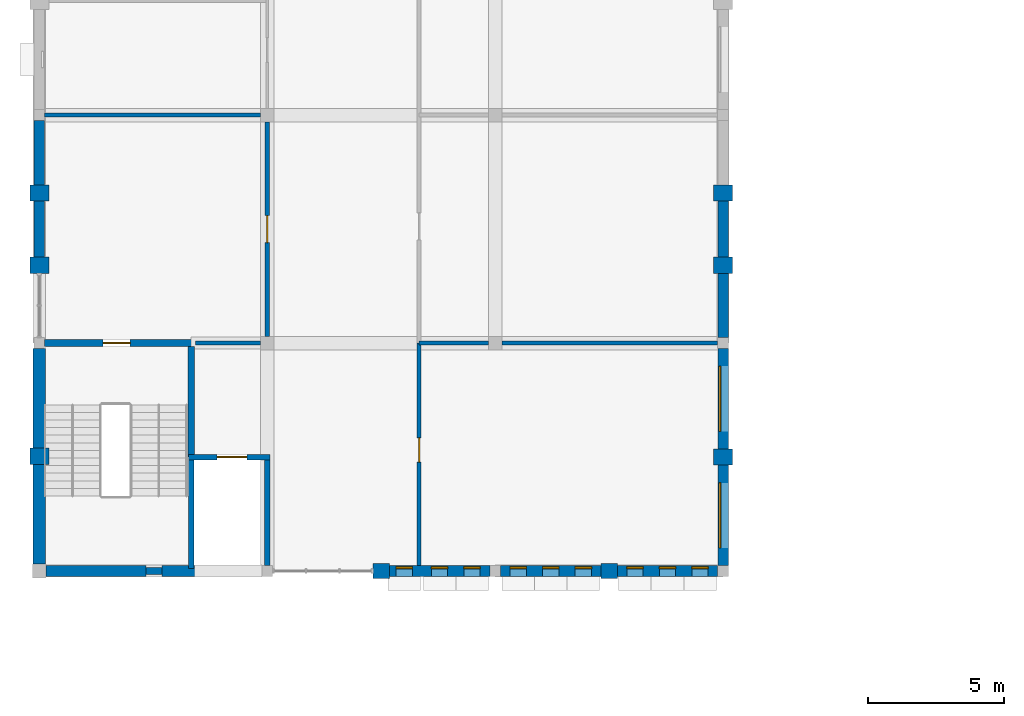
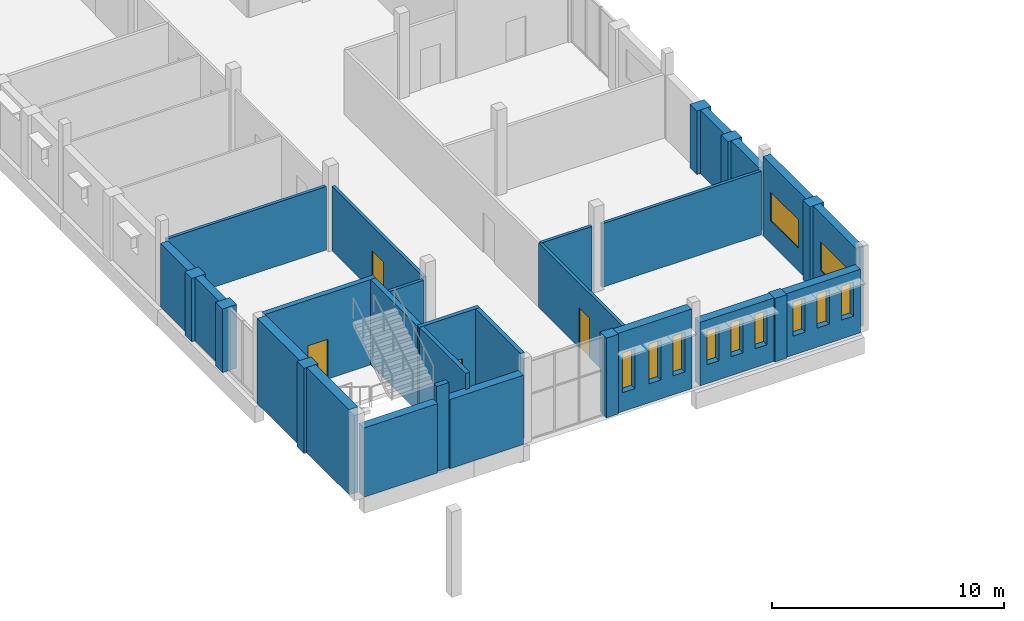
# One storey, part 23 of 38: 33 walls, 11 windows, 4 doors, 15 openings.
"""IFC4 building model written with IfcOpenShell, lengths in metres."""

from ifc_helpers import new_model, si_unit, direction, frame, frame_2d, origin, place, context, subcontext, project, spatial, rectangle, extrude, material, layer, layer_set, type_object, element, fill, save


model = new_model("IFC4")

# Units and contexts
model_context = context("Model", 3, precision=1e-05, world=origin(), true_north=direction((0.0, 1.0)))
body_context = subcontext(model_context, "Body", "Model", "MODEL_VIEW")
ifc_project = project(units=[si_unit("LENGTHUNIT", "METRE"), si_unit("AREAUNIT", "SQUARE_METRE"), si_unit("VOLUMEUNIT", "CUBIC_METRE"), si_unit("PLANEANGLEUNIT", "RADIAN"), si_unit("MASSUNIT", "GRAM", prefix="KILO")], contexts=[model_context])

# Site, building, storey
site_placement = place(None, origin())
site = spatial("IfcSite", under=ifc_project, at=site_placement, CompositionType="ELEMENT")
building_placement = place(site_placement, origin())
building = spatial("IfcBuilding", under=site, at=building_placement, Name="Fescue Hill Polytechnic", CompositionType="ELEMENT")
storey_placement = place(building_placement, frame((0.0, 0.0, 18.0)))
storey = spatial("IfcBuildingStorey", under=building, at=storey_placement, Name="L04", CompositionType="ELEMENT", Elevation=18.0)

# Walls
ifc_material_1 = material(Name="Clay brick masonry", Category="masonry")
ifc_layer_1 = layer(ifc_material_1, 0.550048828125)
ifc_layer_set_1 = layer_set([ifc_layer_1], Name="Clay brick masonry")
wall_type_1 = type_object("IfcWallType", Name="Brick pier 600x550", PredefinedType="SOLIDWALL", material=ifc_layer_set_1)
wall_1_placement = place(storey_placement, frame((12.300048828125, 50.39990234375, 0.0), z_axis=(0.0, 0.0, 1.0), x_axis=(1.0, 0.0, 0.0)))
element("IfcWall", 1, at=wall_1_placement, inside=storey, type_object=wall_type_1, Name="PR-L04-V4-23", PredefinedType="SOLIDWALL", context=body_context, shape_type="SweptSolid", body=[
    extrude(rectangle(XDim=0.599853515625, YDim=0.550048828125, at=frame_2d((0.2998046875, 0.0))), origin(), (0.0, 0.0, 1.0), 4.199951171875),
])
wall_2_placement = place(storey_placement, frame((20.699951171875, 50.39990234375, 0.0), z_axis=(0.0, 0.0, 1.0), x_axis=(1.0, 0.0, 0.0)))
element("IfcWall", 2, at=wall_2_placement, inside=storey, type_object=wall_type_1, Name="PR-L04-V4-24", PredefinedType="SOLIDWALL", context=body_context, shape_type="SweptSolid", body=[
    extrude(rectangle(XDim=0.60009765625, YDim=0.550048828125, at=frame_2d((0.300048828125, 0.0))), origin(), (0.0, 0.0, 1.0), 3.35009765625),
])

# Wall, opening, door
ifc_material_2 = material(Name="Concrete 40 MPa", Category="concrete")
ifc_layer_2 = layer(ifc_material_2, 0.25)
ifc_layer_set_2 = layer_set([ifc_layer_2], Name="Concrete 40 MPa")
wall_type_2 = type_object("IfcWallType", Name="Core wall 250", PredefinedType="SHEAR", material=ifc_layer_set_2)
wall_3_placement = place(storey_placement, frame((0.199951171875, 58.800048828125, 0.0), z_axis=(0.0, 0.0, 1.0), x_axis=(1.0, 0.0, 0.0)))
wall_3 = element("IfcWall", 3, at=wall_3_placement, inside=storey, type_object=wall_type_2, Name="CW-L04-ST-V4-1-21", PredefinedType="SHEAR", context=body_context, shape_type="SweptSolid", body=[
    extrude(rectangle(XDim=5.525146484375, YDim=0.25, at=frame_2d((2.7626953125, 0.0))), origin(), (0.0, 0.0, 1.0), 4.5),
])
opening_1_placement = place(wall_3_placement, frame((2.14990234375, 0.0, 0.0)))
opening_1 = element("IfcOpeningElement", 4, at=opening_1_placement, cuts=wall_3, Name="Opening D4036", PredefinedType="OPENING", context=body_context, shape_type="SweptSolid", body=[
    extrude(rectangle(XDim=1.0, YDim=2.10009765625, at=frame_2d((0.5, 1.050048828125))), frame((0.0, 0.135009765625, 0.0), z_axis=(0.0, -1.0, 0.0), x_axis=(1.0, 0.0, 0.0)), (0.0, 0.0, 1.0), 0.27001953125),
])
ifc_material_3 = material(Name="Steel fire door", Category="steel")
door_type_1 = type_object("IfcDoorType", Name="Door single swing 1000x2100 stair fire rated", OperationType="NOTDEFINED", PredefinedType="DOOR", material=ifc_material_3)
door_1_placement = place(opening_1_placement, origin())
door_1 = element("IfcDoor", 5, at=door_1_placement, inside=storey, type_object=door_type_1, Name="L04 ST-V4-1 stair door", OperationType="SINGLE_SWING_LEFT", OverallHeight=2.10009765625, OverallWidth=1.0, PredefinedType="DOOR", context=body_context, shape_type="SweptSolid", body=[
    extrude(rectangle(XDim=1.0, YDim=2.10009765625, at=frame_2d((0.5, 1.050048828125))), frame((0.0, 0.02490234375, 0.0), z_axis=(0.0, -1.0, 0.0), x_axis=(1.0, 0.0, 0.0)), (0.0, 0.0, 1.0), 0.050048828125),
])
fill(opening_1, door_1)

# Walls
wall_4_placement = place(storey_placement, frame((5.60009765625, 54.610107421875, 0.0), z_axis=(0.0, 0.0, 1.0), x_axis=(0.0, 1.0, 0.0)))
element("IfcWall", 6, at=wall_4_placement, inside=storey, type_object=wall_type_2, Name="CW-L04-ST-V4-1-41", PredefinedType="SHEAR", context=body_context, shape_type="SweptSolid", body=[
    extrude(rectangle(XDim=4.06494140625, YDim=0.25, at=frame_2d((2.032470703125, 0.0))), origin(), (0.0, 0.0, 1.0), 4.5),
])
wall_5_placement = place(storey_placement, frame((3.925048828125, 50.39990234375, 0.0), z_axis=(0.0, 0.0, 1.0), x_axis=(1.0, 0.0, 0.0)))
element("IfcWall", 7, at=wall_5_placement, inside=storey, type_object=wall_type_2, Name="SCW-L04-ST-V4-1-s1", PredefinedType="SHEAR", context=body_context, shape_type="SweptSolid", body=[
    extrude(rectangle(XDim=0.599853515625, YDim=0.25, at=frame_2d((0.2998046875, 0.0))), origin(), (0.0, 0.0, 1.0), 4.5),
])

# Wall, opening, door
ifc_material_4 = material(Name="Gypsum board partition")
ifc_layer_3 = layer(ifc_material_4, 0.14990234375)
ifc_layer_set_3 = layer_set([ifc_layer_3], Name="Gypsum board partition")
wall_type_3 = type_object("IfcWallType", Name="Corridor wall 150 EI 45", PredefinedType="PARTITIONING", material=ifc_layer_set_3)
wall_6_placement = place(storey_placement, frame((14.0, 50.610107421875, 0.0), z_axis=(0.0, 0.0, 1.0), x_axis=(0.0, 1.0, 0.0)))
wall_6 = element("IfcWall", 8, at=wall_6_placement, inside=storey, type_object=wall_type_3, Name="IW-L04-045", PredefinedType="PARTITIONING", context=body_context, shape_type="SweptSolid", body=[
    extrude(rectangle(XDim=8.18994140625, YDim=0.14990234375, at=frame_2d((4.094970703125, 0.0))), origin(), (0.0, 0.0, 1.0), 3.39990234375),
])
opening_2_placement = place(wall_6_placement, frame((3.800048828125, 0.0, 0.0)))
opening_2 = element("IfcOpeningElement", 9, at=opening_2_placement, cuts=wall_6, Name="Opening D4008", PredefinedType="OPENING", context=body_context, shape_type="SweptSolid", body=[
    extrude(rectangle(XDim=0.89990234375, YDim=2.10009765625, at=frame_2d((0.449951171875, 1.050048828125))), frame((0.0, 0.0849609375, 0.0), z_axis=(0.0, -1.0, 0.0), x_axis=(1.0, 0.0, 0.0)), (0.0, 0.0, 1.0), 0.169921875),
])
ifc_material_5 = material(Name="Timber", Category="wood")
door_type_2 = type_object("IfcDoorType", Name="Door single swing 900x2100 FD30S", OperationType="SINGLE_SWING_LEFT", PredefinedType="DOOR", material=ifc_material_5)
door_2_placement = place(opening_2_placement, origin())
door_2 = element("IfcDoor", 10, at=door_2_placement, inside=storey, type_object=door_type_2, Name="Door D4008", OperationType="SINGLE_SWING_RIGHT", OverallHeight=2.10009765625, OverallWidth=0.89990234375, PredefinedType="DOOR", context=body_context, shape_type="SweptSolid", body=[
    extrude(rectangle(XDim=0.89990234375, YDim=2.10009765625, at=frame_2d((0.449951171875, 1.050048828125))), frame((0.0, 0.02490234375, 0.0), z_axis=(0.0, -1.0, 0.0), x_axis=(1.0, 0.0, 0.0)), (0.0, 0.0, 1.0), 0.050048828125),
])
fill(opening_2, door_2)

# Walls
ifc_layer_4 = layer(ifc_material_2, 0.449951171875)
ifc_layer_set_4 = layer_set([ifc_layer_4], Name="Concrete 40 MPa")
wall_type_4 = type_object("IfcWallType", Name="Exterior wall board-marked concrete 450 load-bearing", PredefinedType="SOLIDWALL", material=ifc_layer_set_4)
for number, where, z_axis, x_axis, name in (
    (11, (0.0, 58.60009765625, 0.0), (0.0, 0.0, 1.0), (0.0, -1.0, 0.0), "EW-L04-V4-34"),
    (12, (0.0, 54.324951171875, 0.0), (0.0, 0.0, 1.0), (0.0, -1.0, 0.0), "EW-L04-V4-35"),
):
    element("IfcWall", number, at=place(storey_placement, frame(where, z_axis=z_axis, x_axis=x_axis)), inside=storey, type_object=wall_type_4, Name=name, PredefinedType="SOLIDWALL", context=body_context, shape_type="SweptSolid", body=[
        extrude(rectangle(XDim=3.675048828125, YDim=0.449951171875, at=frame_2d((1.83740234375, 0.0))), origin(), (0.0, 0.0, 1.0), 4.5),
    ])

# Wall, openings, windows
ifc_layer_5 = layer(ifc_material_1, 0.419921875)
ifc_layer_set_5 = layer_set([ifc_layer_5], Name="Clay brick masonry")
wall_type_5 = type_object("IfcWallType", Name="Exterior wall buff-red brick cavity 420", PredefinedType="SOLIDWALL", material=ifc_layer_set_5)
wall_7_placement = place(storey_placement, frame((12.89990234375, 50.39990234375, 0.0), z_axis=(0.0, 0.0, 1.0), x_axis=(1.0, 0.0, 0.0)))
wall_7 = element("IfcWall", 13, at=wall_7_placement, inside=storey, type_object=wall_type_5, Name="EW-L04-V4-39", PredefinedType="SOLIDWALL", context=body_context, shape_type="SweptSolid", body=[
    extrude(rectangle(XDim=3.7001953125, YDim=0.419921875, at=frame_2d((1.85009765625, 0.0))), origin(), (0.0, 0.0, 1.0), 4.199951171875),
])
opening_3_placement = place(wall_7_placement, frame((0.25, 0.0, 1.0)))
opening_3 = element("IfcOpeningElement", 14, at=opening_3_placement, cuts=wall_7, Name="Opening W6", PredefinedType="OPENING", context=body_context, shape_type="SweptSolid", body=[
    extrude(rectangle(XDim=0.60009765625, YDim=2.10009765625, at=frame_2d((0.300048828125, 1.050048828125))), frame((0.0, 0.219970703125, 0.0), z_axis=(0.0, -1.0, 0.0), x_axis=(1.0, 0.0, 0.0)), (0.0, 0.0, 1.0), 0.43994140625),
])
opening_4_placement = place(wall_7_placement, frame((1.550048828125, 0.0, 1.0)))
opening_4 = element("IfcOpeningElement", 15, at=opening_4_placement, cuts=wall_7, Name="Opening W6", PredefinedType="OPENING", context=body_context, shape_type="SweptSolid", body=[
    extrude(rectangle(XDim=0.60009765625, YDim=2.10009765625, at=frame_2d((0.300048828125, 1.050048828125))), frame((0.0, 0.219970703125, 0.0), z_axis=(0.0, -1.0, 0.0), x_axis=(1.0, 0.0, 0.0)), (0.0, 0.0, 1.0), 0.43994140625),
])
opening_5_placement = place(wall_7_placement, frame((2.75, 0.0, 1.0)))
opening_5 = element("IfcOpeningElement", 16, at=opening_5_placement, cuts=wall_7, Name="Opening W6", PredefinedType="OPENING", context=body_context, shape_type="SweptSolid", body=[
    extrude(rectangle(XDim=0.60009765625, YDim=2.10009765625, at=frame_2d((0.300048828125, 1.050048828125))), frame((0.0, 0.219970703125, 0.0), z_axis=(0.0, -1.0, 0.0), x_axis=(1.0, 0.0, 0.0)), (0.0, 0.0, 1.0), 0.43994140625),
])
ifc_material_6 = material(Name="Powder-coated aluminium and glass", Category="aluminium")
window_type_1 = type_object("IfcWindowType", Name="Window slot 600x2100", PartitioningType="SINGLE_PANEL", PredefinedType="WINDOW", material=ifc_material_6)
window_1_placement = place(opening_3_placement, origin())
window_1 = element("IfcWindow", 17, at=window_1_placement, inside=storey, type_object=window_type_1, Name="WN-L04-V4-13", OverallHeight=2.10009765625, OverallWidth=0.60009765625, PartitioningType="SINGLE_PANEL", PredefinedType="WINDOW", context=body_context, shape_type="SweptSolid", body=[
    extrude(rectangle(XDim=0.60009765625, YDim=2.10009765625, at=frame_2d((0.300048828125, 1.050048828125))), frame((0.0, 0.150146484375, 0.0), z_axis=(0.0, -1.0, 0.0), x_axis=(1.0, 0.0, 0.0)), (0.0, 0.0, 1.0), 0.06005859375),
])
fill(opening_3, window_1)
window_2_placement = place(opening_4_placement, origin())
window_2 = element("IfcWindow", 18, at=window_2_placement, inside=storey, type_object=window_type_1, Name="WN-L04-V4-14", OverallHeight=2.10009765625, OverallWidth=0.60009765625, PartitioningType="SINGLE_PANEL", PredefinedType="WINDOW", context=body_context, shape_type="SweptSolid", body=[
    extrude(rectangle(XDim=0.60009765625, YDim=2.10009765625, at=frame_2d((0.300048828125, 1.050048828125))), frame((0.0, 0.150146484375, 0.0), z_axis=(0.0, -1.0, 0.0), x_axis=(1.0, 0.0, 0.0)), (0.0, 0.0, 1.0), 0.06005859375),
])
fill(opening_4, window_2)
window_3_placement = place(opening_5_placement, origin())
window_3 = element("IfcWindow", 19, at=window_3_placement, inside=storey, type_object=window_type_1, Name="WN-L04-V4-15", OverallHeight=2.10009765625, OverallWidth=0.60009765625, PartitioningType="SINGLE_PANEL", PredefinedType="WINDOW", context=body_context, shape_type="SweptSolid", body=[
    extrude(rectangle(XDim=0.60009765625, YDim=2.10009765625, at=frame_2d((0.300048828125, 1.050048828125))), frame((0.0, 0.150146484375, 0.0), z_axis=(0.0, -1.0, 0.0), x_axis=(1.0, 0.0, 0.0)), (0.0, 0.0, 1.0), 0.06005859375),
])
fill(opening_5, window_3)

wall_8_placement = place(storey_placement, frame((17.0, 50.39990234375, 0.0), z_axis=(0.0, 0.0, 1.0), x_axis=(1.0, 0.0, 0.0)))
wall_8 = element("IfcWall", 20, at=wall_8_placement, inside=storey, type_object=wall_type_5, Name="EW-L04-V4-40", PredefinedType="SOLIDWALL", context=body_context, shape_type="SweptSolid", body=[
    extrude(rectangle(XDim=3.699951171875, YDim=0.419921875, at=frame_2d((1.85009765625, 0.0))), origin(), (0.0, 0.0, 1.0), 3.35009765625),
])
opening_6_placement = place(wall_8_placement, frame((0.35009765625, 0.0, 1.0)))
opening_6 = element("IfcOpeningElement", 21, at=opening_6_placement, cuts=wall_8, Name="Opening W6R", PredefinedType="OPENING", context=body_context, shape_type="SweptSolid", body=[
    extrude(rectangle(XDim=0.60009765625, YDim=1.800048828125, at=frame_2d((0.300048828125, 0.89990234375))), frame((0.0, 0.219970703125, 0.0), z_axis=(0.0, -1.0, 0.0), x_axis=(1.0, 0.0, 0.0)), (0.0, 0.0, 1.0), 0.43994140625),
])
opening_7_placement = place(wall_8_placement, frame((1.550048828125, 0.0, 1.0)))
opening_7 = element("IfcOpeningElement", 22, at=opening_7_placement, cuts=wall_8, Name="Opening W6R", PredefinedType="OPENING", context=body_context, shape_type="SweptSolid", body=[
    extrude(rectangle(XDim=0.60009765625, YDim=1.800048828125, at=frame_2d((0.300048828125, 0.89990234375))), frame((0.0, 0.219970703125, 0.0), z_axis=(0.0, -1.0, 0.0), x_axis=(1.0, 0.0, 0.0)), (0.0, 0.0, 1.0), 0.43994140625),
])
opening_8_placement = place(wall_8_placement, frame((2.75, 0.0, 1.0)))
opening_8 = element("IfcOpeningElement", 23, at=opening_8_placement, cuts=wall_8, Name="Opening W6R", PredefinedType="OPENING", context=body_context, shape_type="SweptSolid", body=[
    extrude(rectangle(XDim=0.60009765625, YDim=1.800048828125, at=frame_2d((0.300048828125, 0.89990234375))), frame((0.0, 0.219970703125, 0.0), z_axis=(0.0, -1.0, 0.0), x_axis=(1.0, 0.0, 0.0)), (0.0, 0.0, 1.0), 0.43994140625),
])
window_type_2 = type_object("IfcWindowType", Name="Window slot 600x1800", PartitioningType="SINGLE_PANEL", PredefinedType="WINDOW", material=ifc_material_6)
window_4_placement = place(opening_6_placement, origin())
window_4 = element("IfcWindow", 24, at=window_4_placement, inside=storey, type_object=window_type_2, Name="WN-L04-V4-16", OverallHeight=1.800048828125, OverallWidth=0.60009765625, PartitioningType="SINGLE_PANEL", PredefinedType="WINDOW", context=body_context, shape_type="SweptSolid", body=[
    extrude(rectangle(XDim=0.60009765625, YDim=1.800048828125, at=frame_2d((0.300048828125, 0.89990234375))), frame((0.0, 0.150146484375, 0.0), z_axis=(0.0, -1.0, 0.0), x_axis=(1.0, 0.0, 0.0)), (0.0, 0.0, 1.0), 0.06005859375),
])
fill(opening_6, window_4)
window_5_placement = place(opening_7_placement, origin())
window_5 = element("IfcWindow", 25, at=window_5_placement, inside=storey, type_object=window_type_2, Name="WN-L04-V4-17", OverallHeight=1.800048828125, OverallWidth=0.60009765625, PartitioningType="SINGLE_PANEL", PredefinedType="WINDOW", context=body_context, shape_type="SweptSolid", body=[
    extrude(rectangle(XDim=0.60009765625, YDim=1.800048828125, at=frame_2d((0.300048828125, 0.89990234375))), frame((0.0, 0.150146484375, 0.0), z_axis=(0.0, -1.0, 0.0), x_axis=(1.0, 0.0, 0.0)), (0.0, 0.0, 1.0), 0.06005859375),
])
fill(opening_7, window_5)
window_6_placement = place(opening_8_placement, origin())
window_6 = element("IfcWindow", 26, at=window_6_placement, inside=storey, type_object=window_type_2, Name="WN-L04-V4-18", OverallHeight=1.800048828125, OverallWidth=0.60009765625, PartitioningType="SINGLE_PANEL", PredefinedType="WINDOW", context=body_context, shape_type="SweptSolid", body=[
    extrude(rectangle(XDim=0.60009765625, YDim=1.800048828125, at=frame_2d((0.300048828125, 0.89990234375))), frame((0.0, 0.150146484375, 0.0), z_axis=(0.0, -1.0, 0.0), x_axis=(1.0, 0.0, 0.0)), (0.0, 0.0, 1.0), 0.06005859375),
])
fill(opening_8, window_6)

wall_9_placement = place(storey_placement, frame((21.300048828125, 50.39990234375, 0.0), z_axis=(0.0, 0.0, 1.0), x_axis=(1.0, 0.0, 0.0)))
wall_9 = element("IfcWall", 27, at=wall_9_placement, inside=storey, type_object=wall_type_5, Name="EW-L04-V4-41", PredefinedType="SOLIDWALL", context=body_context, shape_type="SweptSolid", body=[
    extrude(rectangle(XDim=3.699951171875, YDim=0.419921875, at=frame_2d((1.85009765625, 0.0))), origin(), (0.0, 0.0, 1.0), 3.35009765625),
])
opening_9_placement = place(wall_9_placement, frame((0.35009765625, 0.0, 1.0)))
opening_9 = element("IfcOpeningElement", 28, at=opening_9_placement, cuts=wall_9, Name="Opening W6R", PredefinedType="OPENING", context=body_context, shape_type="SweptSolid", body=[
    extrude(rectangle(XDim=0.60009765625, YDim=1.800048828125, at=frame_2d((0.300048828125, 0.89990234375))), frame((0.0, 0.219970703125, 0.0), z_axis=(0.0, -1.0, 0.0), x_axis=(1.0, 0.0, 0.0)), (0.0, 0.0, 1.0), 0.43994140625),
])
opening_10_placement = place(wall_9_placement, frame((1.550048828125, 0.0, 1.0)))
opening_10 = element("IfcOpeningElement", 29, at=opening_10_placement, cuts=wall_9, Name="Opening W6R", PredefinedType="OPENING", context=body_context, shape_type="SweptSolid", body=[
    extrude(rectangle(XDim=0.60009765625, YDim=1.800048828125, at=frame_2d((0.300048828125, 0.89990234375))), frame((0.0, 0.219970703125, 0.0), z_axis=(0.0, -1.0, 0.0), x_axis=(1.0, 0.0, 0.0)), (0.0, 0.0, 1.0), 0.43994140625),
])
opening_11_placement = place(wall_9_placement, frame((2.75, 0.0, 1.0)))
opening_11 = element("IfcOpeningElement", 30, at=opening_11_placement, cuts=wall_9, Name="Opening W6R", PredefinedType="OPENING", context=body_context, shape_type="SweptSolid", body=[
    extrude(rectangle(XDim=0.60009765625, YDim=1.800048828125, at=frame_2d((0.300048828125, 0.89990234375))), frame((0.0, 0.219970703125, 0.0), z_axis=(0.0, -1.0, 0.0), x_axis=(1.0, 0.0, 0.0)), (0.0, 0.0, 1.0), 0.43994140625),
])
window_7_placement = place(opening_9_placement, origin())
window_7 = element("IfcWindow", 31, at=window_7_placement, inside=storey, type_object=window_type_2, Name="WN-L04-V4-19", OverallHeight=1.800048828125, OverallWidth=0.60009765625, PartitioningType="SINGLE_PANEL", PredefinedType="WINDOW", context=body_context, shape_type="SweptSolid", body=[
    extrude(rectangle(XDim=0.60009765625, YDim=1.800048828125, at=frame_2d((0.300048828125, 0.89990234375))), frame((0.0, 0.150146484375, 0.0), z_axis=(0.0, -1.0, 0.0), x_axis=(1.0, 0.0, 0.0)), (0.0, 0.0, 1.0), 0.06005859375),
])
fill(opening_9, window_7)
window_8_placement = place(opening_10_placement, origin())
window_8 = element("IfcWindow", 32, at=window_8_placement, inside=storey, type_object=window_type_2, Name="WN-L04-V4-20", OverallHeight=1.800048828125, OverallWidth=0.60009765625, PartitioningType="SINGLE_PANEL", PredefinedType="WINDOW", context=body_context, shape_type="SweptSolid", body=[
    extrude(rectangle(XDim=0.60009765625, YDim=1.800048828125, at=frame_2d((0.300048828125, 0.89990234375))), frame((0.0, 0.150146484375, 0.0), z_axis=(0.0, -1.0, 0.0), x_axis=(1.0, 0.0, 0.0)), (0.0, 0.0, 1.0), 0.06005859375),
])
fill(opening_10, window_8)
window_9_placement = place(opening_11_placement, origin())
window_9 = element("IfcWindow", 33, at=window_9_placement, inside=storey, type_object=window_type_2, Name="WN-L04-V4-21", OverallHeight=1.800048828125, OverallWidth=0.60009765625, PartitioningType="SINGLE_PANEL", PredefinedType="WINDOW", context=body_context, shape_type="SweptSolid", body=[
    extrude(rectangle(XDim=0.60009765625, YDim=1.800048828125, at=frame_2d((0.300048828125, 0.89990234375))), frame((0.0, 0.150146484375, 0.0), z_axis=(0.0, -1.0, 0.0), x_axis=(1.0, 0.0, 0.0)), (0.0, 0.0, 1.0), 0.06005859375),
])
fill(opening_11, window_9)

# Walls
ifc_layer_6 = layer(ifc_material_1, 0.419921875)
ifc_layer_set_6 = layer_set([ifc_layer_6], Name="Clay brick masonry")
wall_type_6 = type_object("IfcWallType", Name="Exterior wall buff-red brick cavity 420 load-bearing", PredefinedType="SOLIDWALL", material=ifc_layer_set_6)
for number, where, z_axis, x_axis, name in (
    (34, (0.25, 50.39990234375, 0.0), (0.0, 0.0, 1.0), (1.0, 0.0, 0.0), "EW-L04-V4-36"),
    (35, (4.52490234375, 50.39990234375, 0.0), (0.0, 0.0, 1.0), (1.0, 0.0, 0.0), "EW-L04-V4-37"),
):
    element("IfcWall", number, at=place(storey_placement, frame(where, z_axis=z_axis, x_axis=x_axis)), inside=storey, type_object=wall_type_6, Name=name, PredefinedType="SOLIDWALL", context=body_context, shape_type="SweptSolid", body=[
        extrude(rectangle(XDim=3.675048828125, YDim=0.419921875, at=frame_2d((1.83740234375, 0.0))), origin(), (0.0, 0.0, 1.0), 3.64990234375),
    ])

# Wall, opening, window
ifc_material_7 = material(Name="Terracotta rainscreen on concrete block", Category="masonry")
ifc_layer_7 = layer(ifc_material_7, 0.3798828125)
ifc_layer_set_7 = layer_set([ifc_layer_7], Name="Terracotta rainscreen on concrete block")
wall_type_7 = type_object("IfcWallType", Name="Exterior wall rainscreen terracotta on blockwork 380", PredefinedType="SOLIDWALL", material=ifc_layer_set_7)
wall_10_placement = place(storey_placement, frame((25.199951171875, 50.60009765625, 0.0), z_axis=(0.0, 0.0, 1.0), x_axis=(0.0, 1.0, 0.0)))
wall_10 = element("IfcWall", 36, at=wall_10_placement, inside=storey, type_object=wall_type_7, Name="EW-L04-V4-1", PredefinedType="SOLIDWALL", context=body_context, shape_type="SweptSolid", body=[
    extrude(rectangle(XDim=3.699951171875, YDim=0.3798828125, at=frame_2d((1.85009765625, 0.0))), origin(), (0.0, 0.0, 1.0), 4.199951171875),
])
opening_12_placement = place(wall_10_placement, frame((0.64990234375, 0.0, 1.199951171875)))
opening_12 = element("IfcOpeningElement", 37, at=opening_12_placement, cuts=wall_10, Name="Opening W3", PredefinedType="OPENING", context=body_context, shape_type="SweptSolid", body=[
    extrude(rectangle(XDim=2.39990234375, YDim=1.5, at=frame_2d((1.199951171875, 0.75))), frame((0.0, 0.199951171875, 0.0), z_axis=(0.0, -1.0, 0.0), x_axis=(1.0, 0.0, 0.0)), (0.0, 0.0, 1.0), 0.39990234375),
])
window_type_3 = type_object("IfcWindowType", Name="Window laboratory strip 2400x1500", PartitioningType="TRIPLE_PANEL_VERTICAL", PredefinedType="WINDOW", material=ifc_material_6)
window_10_placement = place(opening_12_placement, origin())
window_10 = element("IfcWindow", 38, at=window_10_placement, inside=storey, type_object=window_type_3, Name="WN-L04-V4-1", OverallHeight=1.5, OverallWidth=2.39990234375, PartitioningType="SINGLE_PANEL", PredefinedType="WINDOW", context=body_context, shape_type="SweptSolid", body=[
    extrude(rectangle(XDim=2.39990234375, YDim=1.5, at=frame_2d((1.199951171875, 0.75))), frame((0.0, 0.150146484375, 0.0), z_axis=(0.0, -1.0, 0.0), x_axis=(1.0, 0.0, 0.0)), (0.0, 0.0, 1.0), 0.06005859375),
])
fill(opening_12, window_10)

wall_11_placement = place(storey_placement, frame((25.199951171875, 54.89990234375, 0.0), z_axis=(0.0, 0.0, 1.0), x_axis=(0.0, 1.0, 0.0)))
wall_11 = element("IfcWall", 39, at=wall_11_placement, inside=storey, type_object=wall_type_7, Name="EW-L04-V4-2", PredefinedType="SOLIDWALL", context=body_context, shape_type="SweptSolid", body=[
    extrude(rectangle(XDim=3.7001953125, YDim=0.3798828125, at=frame_2d((1.85009765625, 0.0))), origin(), (0.0, 0.0, 1.0), 4.199951171875),
])
opening_13_placement = place(wall_11_placement, frame((0.64990234375, 0.0, 1.199951171875)))
opening_13 = element("IfcOpeningElement", 40, at=opening_13_placement, cuts=wall_11, Name="Opening W3", PredefinedType="OPENING", context=body_context, shape_type="SweptSolid", body=[
    extrude(rectangle(XDim=2.39990234375, YDim=1.5, at=frame_2d((1.199951171875, 0.75))), frame((0.0, 0.199951171875, 0.0), z_axis=(0.0, -1.0, 0.0), x_axis=(1.0, 0.0, 0.0)), (0.0, 0.0, 1.0), 0.39990234375),
])
window_11_placement = place(opening_13_placement, origin())
window_11 = element("IfcWindow", 41, at=window_11_placement, inside=storey, type_object=window_type_3, Name="WN-L04-V4-2", OverallHeight=1.5, OverallWidth=2.39990234375, PartitioningType="SINGLE_PANEL", PredefinedType="WINDOW", context=body_context, shape_type="SweptSolid", body=[
    extrude(rectangle(XDim=2.39990234375, YDim=1.5, at=frame_2d((1.199951171875, 0.75))), frame((0.0, 0.150146484375, 0.0), z_axis=(0.0, -1.0, 0.0), x_axis=(1.0, 0.0, 0.0)), (0.0, 0.0, 1.0), 0.06005859375),
])
fill(opening_13, window_11)

# Walls
wall_12_placement = place(storey_placement, frame((25.199951171875, 59.0, 0.0), z_axis=(0.0, 0.0, 1.0), x_axis=(0.0, 1.0, 0.0)))
element("IfcWall", 42, at=wall_12_placement, inside=storey, type_object=wall_type_7, Name="EW-L04-V4-3", PredefinedType="SOLIDWALL", context=body_context, shape_type="SweptSolid", body=[
    extrude(rectangle(XDim=2.36669921875, YDim=0.3798828125, at=frame_2d((1.183349609375, 0.0))), origin(), (0.0, 0.0, 1.0), 3.35009765625),
])
wall_13_placement = place(storey_placement, frame((25.199951171875, 61.966796875, 0.0), z_axis=(0.0, 0.0, 1.0), x_axis=(0.0, 1.0, 0.0)))
element("IfcWall", 43, at=wall_13_placement, inside=storey, type_object=wall_type_7, Name="EW-L04-V4-4", PredefinedType="SOLIDWALL", context=body_context, shape_type="SweptSolid", body=[
    extrude(rectangle(XDim=2.06640625, YDim=0.3798828125, at=frame_2d((1.033203125, 0.0))), origin(), (0.0, 0.0, 1.0), 3.35009765625),
])
wall_14_placement = place(storey_placement, frame((0.0, 67.0, 0.0), z_axis=(0.0, 0.0, 1.0), x_axis=(0.0, -1.0, 0.0)))
element("IfcWall", 44, at=wall_14_placement, inside=storey, type_object=wall_type_7, Name="EW-L04-V4-31", PredefinedType="SOLIDWALL", context=body_context, shape_type="SweptSolid", body=[
    extrude(rectangle(XDim=2.36669921875, YDim=0.3798828125, at=frame_2d((1.183349609375, 0.0))), origin(), (0.0, 0.0, 1.0), 3.35009765625),
])
wall_15_placement = place(storey_placement, frame((0.0, 64.033203125, 0.0), z_axis=(0.0, 0.0, 1.0), x_axis=(0.0, -1.0, 0.0)))
element("IfcWall", 45, at=wall_15_placement, inside=storey, type_object=wall_type_7, Name="EW-L04-V4-32", PredefinedType="SOLIDWALL", context=body_context, shape_type="SweptSolid", body=[
    extrude(rectangle(XDim=2.06640625, YDim=0.3798828125, at=frame_2d((1.033203125, 0.0))), origin(), (0.0, 0.0, 1.0), 3.35009765625),
])
ifc_layer_8 = layer(ifc_material_2, 0.699951171875)
ifc_layer_set_8 = layer_set([ifc_layer_8], Name="Concrete 40 MPa")
wall_type_8 = type_object("IfcWallType", Name="Fin wall board-marked 600x700", PredefinedType="SOLIDWALL", material=ifc_layer_set_8)
wall_16_placement = place(storey_placement, frame((25.199951171875, 54.300048828125, 0.0), z_axis=(0.0, 0.0, 1.0), x_axis=(0.0, 1.0, 0.0)))
element("IfcWall", 46, at=wall_16_placement, inside=storey, type_object=wall_type_8, Name="PR-L04-V4-1", PredefinedType="SOLIDWALL", context=body_context, shape_type="SweptSolid", body=[
    extrude(rectangle(XDim=0.599853515625, YDim=0.699951171875, at=frame_2d((0.2998046875, 0.0))), origin(), (0.0, 0.0, 1.0), 4.199951171875),
])
for number, where, z_axis, x_axis, name in (
    (47, (25.199951171875, 61.36669921875, 0.0), (0.0, 0.0, 1.0), (0.0, 1.0, 0.0), "PR-L04-V4-2"),
    (48, (25.199951171875, 64.033203125, 0.0), (0.0, 0.0, 1.0), (0.0, 1.0, 0.0), "PR-L04-V4-3"),
    (49, (0.0, 64.63330078125, 0.0), (0.0, 0.0, 1.0), (0.0, -1.0, 0.0), "PR-L04-V4-19"),
    (50, (0.0, 61.966796875, 0.0), (0.0, 0.0, 1.0), (0.0, -1.0, 0.0), "PR-L04-V4-20"),
):
    element("IfcWall", number, at=place(storey_placement, frame(where, z_axis=z_axis, x_axis=x_axis)), inside=storey, type_object=wall_type_8, Name=name, PredefinedType="SOLIDWALL", context=body_context, shape_type="SweptSolid", body=[
        extrude(rectangle(XDim=0.60009765625, YDim=0.699951171875, at=frame_2d((0.300048828125, 0.0))), origin(), (0.0, 0.0, 1.0), 3.35009765625),
    ])
wall_17_placement = place(storey_placement, frame((0.0, 54.925048828125, 0.0), z_axis=(0.0, 0.0, 1.0), x_axis=(0.0, -1.0, 0.0)))
element("IfcWall", 51, at=wall_17_placement, inside=storey, type_object=wall_type_8, Name="PR-L04-V4-21", PredefinedType="SOLIDWALL", context=body_context, shape_type="SweptSolid", body=[
    extrude(rectangle(XDim=0.60009765625, YDim=0.699951171875, at=frame_2d((0.300048828125, 0.0))), origin(), (0.0, 0.0, 1.0), 4.5),
])
ifc_material_8 = material(Name="Concrete masonry block 15 MPa", Category="masonry")
ifc_layer_9 = layer(ifc_material_8, 0.14990234375)
ifc_layer_set_9 = layer_set([ifc_layer_9], Name="Concrete masonry block 15 MPa")
wall_type_9 = type_object("IfcWallType", Name="Laboratory wall 150 block EI 60", PredefinedType="PARTITIONING", material=ifc_layer_set_9)
wall_18_placement = place(storey_placement, frame((14.0, 58.800048828125, 0.0), z_axis=(0.0, 0.0, 1.0), x_axis=(1.0, 0.0, 0.0)))
element("IfcWall", 52, at=wall_18_placement, inside=storey, type_object=wall_type_9, Name="IW-L04-001", PredefinedType="PARTITIONING", context=body_context, shape_type="SweptSolid", body=[
    extrude(rectangle(XDim=2.550048828125, YDim=0.14990234375, at=frame_2d((1.27490234375, 0.0))), origin(), (0.0, 0.0, 1.0), 3.39990234375),
])
for number, where, z_axis, x_axis, name in (
    (53, (17.050048828125, 58.800048828125, 0.0), (0.0, 0.0, 1.0), (1.0, 0.0, 0.0), "IW-L04-002"),
    (54, (0.199951171875, 67.199951171875, 0.0), (0.0, 0.0, 1.0), (1.0, 0.0, 0.0), "IW-L04-004"),
):
    element("IfcWall", number, at=place(storey_placement, frame(where, z_axis=z_axis, x_axis=x_axis)), inside=storey, type_object=wall_type_9, Name=name, PredefinedType="PARTITIONING", context=body_context, shape_type="SweptSolid", body=[
        extrude(rectangle(XDim=7.949951171875, YDim=0.14990234375, at=frame_2d((3.97509765625, 0.0))), origin(), (0.0, 0.0, 1.0), 3.35009765625),
    ])

# Wall, opening, door
wall_19_placement = place(storey_placement, frame((8.39990234375, 59.050048828125, 0.0), z_axis=(0.0, 0.0, 1.0), x_axis=(0.0, 1.0, 0.0)))
wall_19 = element("IfcWall", 55, at=wall_19_placement, inside=storey, type_object=wall_type_9, Name="IW-L04-037", PredefinedType="PARTITIONING", context=body_context, shape_type="SweptSolid", body=[
    extrude(rectangle(XDim=7.89990234375, YDim=0.14990234375, at=frame_2d((3.949951171875, 0.0))), origin(), (0.0, 0.0, 1.0), 3.39990234375),
])
opening_14_placement = place(wall_19_placement, frame((3.449951171875, 0.0, 0.0)))
opening_14 = element("IfcOpeningElement", 56, at=opening_14_placement, cuts=wall_19, Name="Opening D4001", PredefinedType="OPENING", context=body_context, shape_type="SweptSolid", body=[
    extrude(rectangle(XDim=1.0, YDim=2.10009765625, at=frame_2d((0.5, 1.050048828125))), frame((0.0, 0.0849609375, 0.0), z_axis=(0.0, -1.0, 0.0), x_axis=(1.0, 0.0, 0.0)), (0.0, 0.0, 1.0), 0.169921875),
])
ifc_material_9 = material(Name="Steel", Category="steel")
door_type_3 = type_object("IfcDoorType", Name="Door single swing 1000x2100 FD60", OperationType="SINGLE_SWING_LEFT", PredefinedType="DOOR", material=ifc_material_9)
door_3_placement = place(opening_14_placement, origin())
door_3 = element("IfcDoor", 57, at=door_3_placement, inside=storey, type_object=door_type_3, Name="Door D4001", OperationType="SINGLE_SWING_LEFT", OverallHeight=2.10009765625, OverallWidth=1.0, PredefinedType="DOOR", context=body_context, shape_type="SweptSolid", body=[
    extrude(rectangle(XDim=1.0, YDim=2.10009765625, at=frame_2d((0.5, 1.050048828125))), frame((0.0, 0.02490234375, 0.0), z_axis=(0.0, -1.0, 0.0), x_axis=(1.0, 0.0, 0.0)), (0.0, 0.0, 1.0), 0.050048828125),
])
fill(opening_14, door_3)

ifc_layer_10 = layer(ifc_material_2, 0.199951171875)
ifc_layer_set_10 = layer_set([ifc_layer_10], Name="Concrete 40 MPa")
wall_type_10 = type_object("IfcWallType", Name="Lift shaft wall 200", PredefinedType="SHEAR", material=ifc_layer_set_10)
wall_20_placement = place(storey_placement, frame((5.5, 54.60009765625, 0.0), z_axis=(0.0, 0.0, 1.0), x_axis=(1.0, 0.0, 0.0)))
wall_20 = element("IfcWall", 58, at=wall_20_placement, inside=storey, type_object=wall_type_10, Name="CW-L04-LF-V4-1-21", PredefinedType="SHEAR", context=body_context, shape_type="SweptSolid", body=[
    extrude(rectangle(XDim=3.0, YDim=0.199951171875, at=frame_2d((1.5, 0.0))), origin(), (0.0, 0.0, 1.0), 4.5),
])
opening_15_placement = place(wall_20_placement, frame((1.050048828125, 0.0, 0.0)))
opening_15 = element("IfcOpeningElement", 59, at=opening_15_placement, cuts=wall_20, Name="Opening LD4-L04", PredefinedType="OPENING", context=body_context, shape_type="SweptSolid", body=[
    extrude(rectangle(XDim=1.10009765625, YDim=2.10009765625, at=frame_2d((0.550048828125, 1.050048828125))), frame((0.0, 0.10986328125, 0.0), z_axis=(0.0, -1.0, 0.0), x_axis=(1.0, 0.0, 0.0)), (0.0, 0.0, 1.0), 0.219970703125),
])
ifc_material_10 = material(Name="Stainless steel", Category="steel")
door_type_4 = type_object("IfcDoorType", Name="Lift landing door sliding 1100x2100", OperationType="SLIDING_TO_LEFT", PredefinedType="DOOR", material=ifc_material_10)
door_4_placement = place(opening_15_placement, origin())
door_4 = element("IfcDoor", 60, at=door_4_placement, inside=storey, type_object=door_type_4, Name="L04 LF-V4-1 lift landing door", OperationType="SLIDING_TO_LEFT", OverallHeight=2.10009765625, OverallWidth=1.10009765625, PredefinedType="DOOR", context=body_context, shape_type="SweptSolid", body=[
    extrude(rectangle(XDim=1.10009765625, YDim=2.10009765625, at=frame_2d((0.550048828125, 1.050048828125))), frame((0.0, 0.02490234375, 0.0), z_axis=(0.0, -1.0, 0.0), x_axis=(1.0, 0.0, 0.0)), (0.0, 0.0, 1.0), 0.050048828125),
])
fill(opening_15, door_4)

# Walls
wall_21_placement = place(storey_placement, frame((5.60009765625, 50.5, 0.0), z_axis=(0.0, 0.0, 1.0), x_axis=(0.0, 1.0, 0.0)))
element("IfcWall", 61, at=wall_21_placement, inside=storey, type_object=wall_type_10, Name="CW-L04-LF-V4-1-31", PredefinedType="SHEAR", context=body_context, shape_type="SweptSolid", body=[
    extrude(rectangle(XDim=4.0, YDim=0.199951171875, at=frame_2d((2.0, 0.0))), origin(), (0.0, 0.0, 1.0), 4.5),
])
wall_22_placement = place(storey_placement, frame((8.39990234375, 50.60009765625, 0.0), z_axis=(0.0, 0.0, 1.0), x_axis=(0.0, 1.0, 0.0)))
element("IfcWall", 62, at=wall_22_placement, inside=storey, type_object=wall_type_10, Name="CW-L04-LF-V4-1-41", PredefinedType="SHEAR", context=body_context, shape_type="SweptSolid", body=[
    extrude(rectangle(XDim=3.89990234375, YDim=0.199951171875, at=frame_2d((1.949951171875, 0.0))), origin(), (0.0, 0.0, 1.0), 4.5),
])
ifc_layer_11 = layer(ifc_material_4, 0.14990234375)
ifc_layer_set_11 = layer_set([ifc_layer_11], Name="Gypsum board partition")
wall_type_11 = type_object("IfcWallType", Name="Lobby wall 150 EI 60", PredefinedType="PARTITIONING", material=ifc_layer_set_11)
wall_23_placement = place(storey_placement, frame((5.75, 58.800048828125, 0.0), z_axis=(0.0, 0.0, 1.0), x_axis=(1.0, 0.0, 0.0)))
element("IfcWall", 63, at=wall_23_placement, inside=storey, type_object=wall_type_11, Name="IW-L04-003", PredefinedType="PARTITIONING", context=body_context, shape_type="SweptSolid", body=[
    extrude(rectangle(XDim=2.39990234375, YDim=0.14990234375, at=frame_2d((1.199951171875, 0.0))), origin(), (0.0, 0.0, 1.0), 3.5),
])

save(model, "model.ifc")
